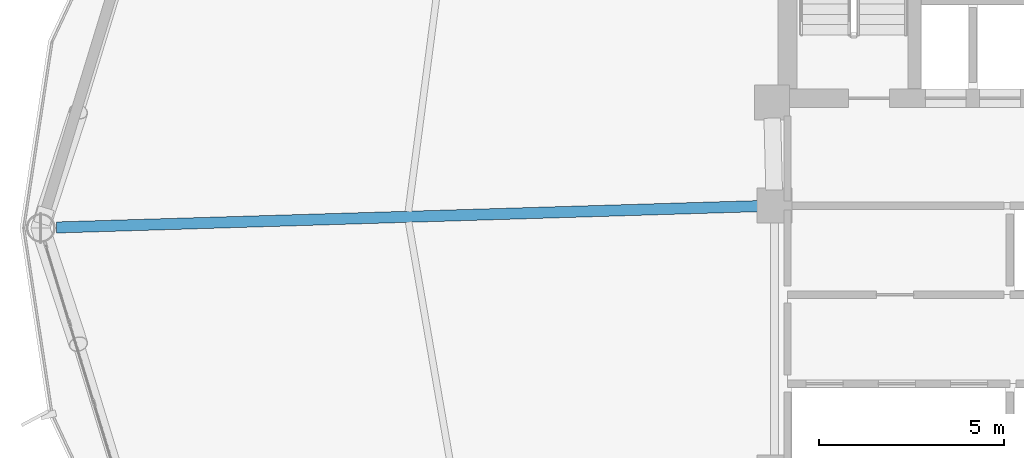
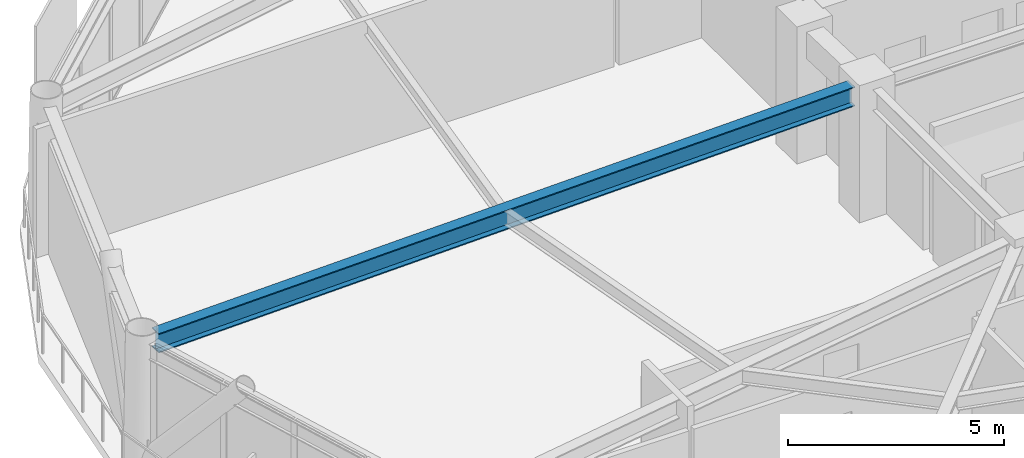
# One storey, part 11 of 25: 1 beam.
"""IFC4 building model written with IfcOpenShell, lengths in metres."""

from ifc_helpers import new_model, si_unit, direction, frame, origin, origin_2d, place, context, subcontext, project, spatial, i_section, extrude, material, material_profile, profile_set, type_object, element, save


model = new_model("IFC4")

# Units and contexts
model_context = context("Model", 3, precision=1e-05, world=origin(), true_north=direction((0.0, 1.0)))
body_context = subcontext(model_context, "Body", "Model", "MODEL_VIEW")
ifc_project = project(units=[si_unit("LENGTHUNIT", "METRE"), si_unit("AREAUNIT", "SQUARE_METRE"), si_unit("VOLUMEUNIT", "CUBIC_METRE"), si_unit("PLANEANGLEUNIT", "RADIAN"), si_unit("MASSUNIT", "GRAM", prefix="KILO")], contexts=[model_context])

# Site, building, storey
site_placement = place(None, origin())
site = spatial("IfcSite", under=ifc_project, at=site_placement, CompositionType="ELEMENT")
building_placement = place(site_placement, origin())
building = spatial("IfcBuilding", under=site, at=building_placement, Name="Varnakorn Sky Granary", CompositionType="ELEMENT")
storey_placement = place(building_placement, frame((0.0, 0.0, 157.800048828125)))
storey = spatial("IfcBuildingStorey", under=building, at=storey_placement, Name="L39", CompositionType="ELEMENT", Elevation=157.800048828125)

# Beam
ifc_material = material(Name="Steel S355JR", Category="steel")
ifc_material_profile = material_profile(ifc_material, i_section(OverallWidth=0.300048828125, OverallDepth=0.550048828125, WebThickness=0.014892578125, FlangeThickness=0.029052734375, at=origin_2d()), Name="HE 550 B")
ifc_profile_set = profile_set([ifc_material_profile], Name="Steel S355JR")
beam_type = type_object("IfcBeamType", Name="BM-RAD-Z3", PredefinedType="BEAM", material=ifc_profile_set)
beam_placement = place(storey_placement, frame((-2.769775390625, 0.587158203125, 3.364990234375), z_axis=(-0.999537971496, -0.030394794582, 0.0), x_axis=(0.030394794582, -0.999537971496, 0.0)))
element("IfcBeam", 1, at=beam_placement, inside=storey, type_object=beam_type, Name="Radial Floor Girder RG07 L39", PredefinedType="BEAM", context=body_context, shape_type="SweptSolid", body=[
    extrude(i_section(OverallWidth=0.300048828125, OverallDepth=0.550048828125, WebThickness=0.014892578125, FlangeThickness=0.029052734375, at=origin_2d()), origin(), (0.0, 0.0, 1.0), 18.956298828125),
])

save(model, "model.ifc")
